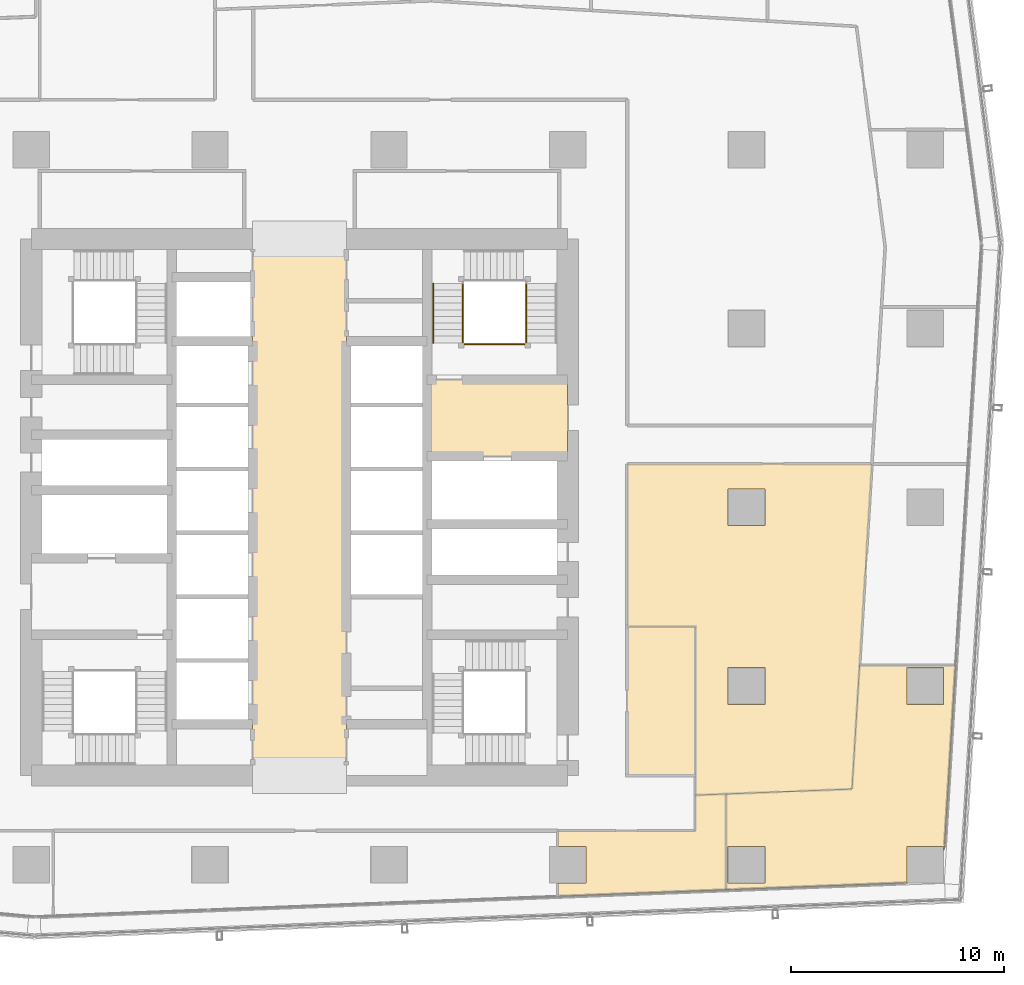
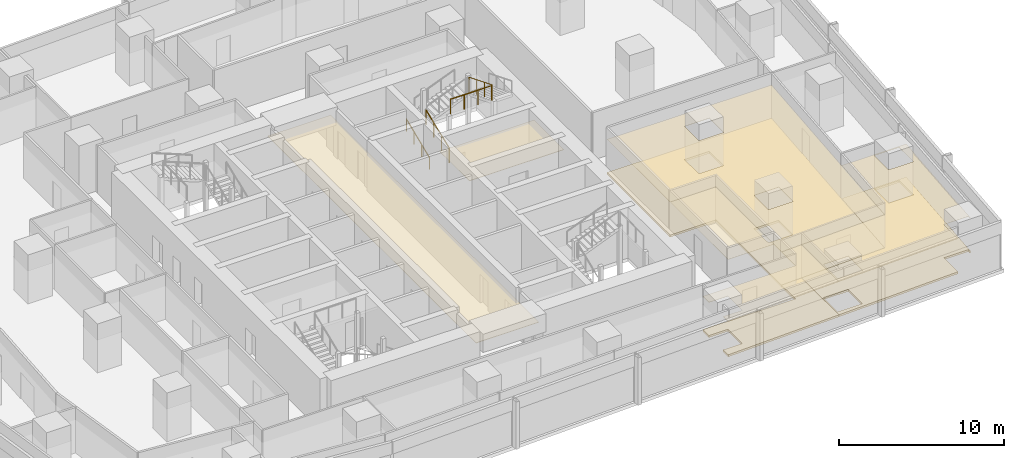
# One storey, part 38 of 40: 9 coverings, 4 railings.
"""IFC4 building model written with IfcOpenShell, lengths in metres."""

from ifc_helpers import new_model, si_unit, direction, frame, origin, origin_2d, place, context, subcontext, project, spatial, polyline, circle, outline, extrude, material, layer, layer_set, type_object, element, save


model = new_model("IFC4")

# Units and contexts
model_context = context("Model", 3, precision=1e-05, world=origin(), true_north=direction((0.0, 1.0)))
body_context = subcontext(model_context, "Body", "Model", "MODEL_VIEW")
ifc_project = project(units=[si_unit("LENGTHUNIT", "METRE"), si_unit("AREAUNIT", "SQUARE_METRE"), si_unit("VOLUMEUNIT", "CUBIC_METRE"), si_unit("PLANEANGLEUNIT", "RADIAN"), si_unit("MASSUNIT", "GRAM", prefix="KILO")], contexts=[model_context])

# Site, building, storey
site_placement = place(None, origin())
site = spatial("IfcSite", under=ifc_project, at=site_placement, CompositionType="ELEMENT")
building_placement = place(site_placement, origin())
building = spatial("IfcBuilding", under=site, at=building_placement, Name="Rekha Terrace Tower", CompositionType="ELEMENT")
storey_placement = place(building_placement, frame((0.0, 0.0, 106.550048828125)))
storey = spatial("IfcBuildingStorey", under=building, at=storey_placement, Name="L26", CompositionType="ELEMENT", Elevation=106.550048828125)

# Coverings
ifc_material_1 = material(Name="Mineral fibre tile in exposed grid", Category="finish")
ifc_layer_1 = layer(ifc_material_1, 0.02001953125)
ifc_layer_set_1 = layer_set([ifc_layer_1], Name="Mineral fibre tile in exposed grid")
covering_type_1 = type_object("IfcCoveringType", Name="CL1 600x1200 office grid ceiling", PredefinedType="CEILING", material=ifc_layer_set_1)
covering_1_placement = place(storey_placement, frame((0.0, 0.0, 2.579833984375)))
element("IfcCovering", 1, at=covering_1_placement, inside=storey, type_object=covering_type_1, Name="Ceiling L26-02", PredefinedType="CEILING", context=body_context, shape_type="SweptSolid", body=[
    extrude(outline(polyline([(56.39990234375, 20.073974609375), (56.39990234375, 18.39990234375), (49.93701171875, 18.39990234375), (49.93701171875, 17.6650390625), (51.264892578125, 17.6650390625), (51.264892578125, 15.93505859375), (49.93701171875, 15.93505859375), (49.93701171875, 15.319091796875), (57.8359375, 15.6259765625), (57.8359375, 20.1298828125), (56.39990234375, 20.073974609375)])), origin(), (0.0, 0.0, 1.0), 0.02001953125),
])
covering_2_placement = place(storey_placement, frame((0.0, 0.0, 2.579833984375)))
element("IfcCovering", 2, at=covering_2_placement, inside=storey, type_object=covering_type_1, Name="Ceiling L26-03", PredefinedType="CEILING", context=body_context, shape_type="SweptSolid", body=[
    extrude(outline(polyline([(64.114013671875, 26.166015625), (63.758056640625, 20.360107421875), (57.8369140625, 20.1298828125), (57.8369140625, 15.6259765625), (66.3349609375, 15.95703125), (66.3349609375, 17.6650390625), (68.06494140625, 17.6650390625), (68.06494140625, 17.48095703125), (68.090087890625, 17.47998046875), (68.623046875, 26.166015625), (64.114013671875, 26.166015625)]), holes=[polyline([(68.06494140625, 24.3349609375), (66.3349609375, 24.3349609375), (66.3349609375, 26.06494140625), (68.06494140625, 26.06494140625), (68.06494140625, 24.3349609375)]), polyline([(59.6650390625, 15.93505859375), (57.93505859375, 15.93505859375), (57.93505859375, 17.6650390625), (59.6650390625, 17.6650390625), (59.6650390625, 15.93505859375)])]), origin(), (0.0, 0.0, 1.0), 0.02001953125),
])
covering_3_placement = place(storey_placement, frame((0.0, 0.0, 2.579833984375)))
element("IfcCovering", 3, at=covering_3_placement, inside=storey, type_object=covering_type_1, Name="Ceiling L26-O1b", PredefinedType="CEILING", context=body_context, shape_type="SweptSolid", body=[
    extrude(outline(polyline([(56.39990234375, 20.073974609375), (57.8359375, 20.1298828125), (63.758056640625, 20.360107421875), (64.114013671875, 26.1669921875), (64.694091796875, 35.636962890625), (53.199951171875, 35.636962890625), (53.199951171875, 28.0), (56.39990234375, 28.0), (56.39990234375, 20.073974609375)]), holes=[polyline([(59.6650390625, 26.06494140625), (59.6650390625, 24.3349609375), (57.93505859375, 24.3349609375), (57.93505859375, 26.06494140625), (59.6650390625, 26.06494140625)]), polyline([(59.6650390625, 32.735107421875), (57.93505859375, 32.735107421875), (57.93505859375, 34.465087890625), (59.6650390625, 34.465087890625), (59.6650390625, 32.735107421875)])]), origin(), (0.0, 0.0, 1.0), 0.02001953125),
])
ifc_material_2 = material(Name="Fibre cement board", Category="finish")
ifc_layer_2 = layer(ifc_material_2, 0.014892578125)
ifc_layer_set_2 = layer_set([ifc_layer_2], Name="Fibre cement board")
covering_type_2 = type_object("IfcCoveringType", Name="CL2 moisture-resistant board ceiling", PredefinedType="CEILING", material=ifc_layer_set_2)
covering_4_placement = place(storey_placement, frame((0.0, 0.0, 2.5849609375)))
element("IfcCovering", 4, at=covering_4_placement, inside=storey, type_object=covering_type_2, Name="Ceiling L26-WCM2", PredefinedType="CEILING", context=body_context, shape_type="SweptSolid", body=[
    extrude(outline(polyline([(56.39990234375, 28.0), (53.199951171875, 28.0), (53.199951171875, 21.0), (56.39990234375, 21.0), (56.39990234375, 28.0)])), origin(), (0.0, 0.0, 1.0), 0.014892578125),
])
ifc_material_3 = material(Name="Powder-coated aluminium pan", Category="aluminium")
ifc_layer_3 = layer(ifc_material_3, 0.030029296875)
ifc_layer_set_3 = layer_set([ifc_layer_3], Name="Powder-coated aluminium pan")
covering_type_3 = type_object("IfcCoveringType", Name="CL3 300x1200 metal pan ceiling", PredefinedType="CEILING", material=ifc_layer_set_3)
covering_5_placement = place(storey_placement, frame((0.0, 0.0, 2.570068359375)))
element("IfcCovering", 5, at=covering_5_placement, inside=storey, type_object=covering_type_3, Name="Ceiling L26-LOBBY", PredefinedType="CEILING", context=body_context, shape_type="SweptSolid", body=[
    extrude(outline(polyline([(40.0, 46.199951171875), (35.60009765625, 46.199951171875), (35.60009765625, 21.0), (40.0, 21.0), (40.0, 46.199951171875)])), origin(), (0.0, 0.0, 1.0), 0.02978515625),
])
covering_6_placement = place(storey_placement, frame((0.0, 0.0, 2.570068359375)))
element("IfcCovering", 6, at=covering_6_placement, inside=storey, type_object=covering_type_3, Name="Ceiling L26-FLB2", PredefinedType="CEILING", context=body_context, shape_type="SweptSolid", body=[
    extrude(outline(polyline([(50.39990234375, 39.60009765625), (43.800048828125, 39.60009765625), (43.800048828125, 36.0), (50.39990234375, 36.0), (50.39990234375, 39.60009765625)])), origin(), (0.0, 0.0, 1.0), 0.02978515625),
])

# Railings
ifc_material_4 = material(Name="Stainless steel balustrade", Category="steel")
railing_type_1 = type_object("IfcRailingType", Name="GR1 1100 stair guard", PredefinedType="GUARDRAIL", material=ifc_material_4)
railing_1_placement = place(storey_placement, frame((45.465087890625, 41.324951171875, 0.125)))
element("IfcRailing", 7, at=railing_1_placement, inside=storey, type_object=railing_type_1, Name="Guard ST2 L26 flight 1", PredefinedType="GUARDRAIL", context=body_context, shape_type="SweptSolid", body=[
    extrude(circle(Radius=0.02392578125, at=origin_2d()), frame((0.0, 0.0, 1.076171875), z_axis=(0.0, 0.927443287984, 0.373963831907), x_axis=(-1.0, 0.0, 0.0)), (0.0, 0.0, 1.0), 3.00830078125),
    extrude(circle(Radius=0.02099609375, at=origin_2d()), origin(), (0.0, 0.0, 1.0), 1.052001953125),
    extrude(circle(Radius=0.02099609375, at=origin_2d()), frame((0.0, 0.929931640625, 0.375)), (0.0, 0.0, 1.0), 1.052001953125),
    extrude(circle(Radius=0.02099609375, at=origin_2d()), frame((0.0, 1.860107421875, 0.75)), (0.0, 0.0, 1.0), 1.052001953125),
    extrude(circle(Radius=0.02099609375, at=origin_2d()), frame((0.0, 2.7900390625, 1.125)), (0.0, 0.0, 1.0), 1.052001953125),
])
railing_2_placement = place(storey_placement, frame((48.4599609375, 44.114990234375, 2.625)))
element("IfcRailing", 8, at=railing_2_placement, inside=storey, type_object=railing_type_1, Name="Guard ST2 L26 flight 3", PredefinedType="GUARDRAIL", context=body_context, shape_type="SweptSolid", body=[
    extrude(circle(Radius=0.02392578125, at=origin_2d()), frame((0.0, 0.0, 1.076171875), z_axis=(0.0, -0.927443287984, 0.373963831907), x_axis=(1.0, 0.0, 0.0)), (0.0, 0.0, 1.0), 3.00830078125),
    extrude(circle(Radius=0.02099609375, at=origin_2d()), origin(), (0.0, 0.0, 1.0), 1.052001953125),
    extrude(circle(Radius=0.02099609375, at=origin_2d()), frame((0.0, -0.929931640625, 0.375)), (0.0, 0.0, 1.0), 1.052001953125),
    extrude(circle(Radius=0.02099609375, at=origin_2d()), frame((0.0, -1.860107421875, 0.75)), (0.0, 0.0, 1.0), 1.052001953125),
    extrude(circle(Radius=0.02099609375, at=origin_2d()), frame((0.0, -2.7900390625, 1.125)), (0.0, 0.0, 1.0), 1.052001953125),
])
railing_3_placement = place(storey_placement, frame((45.52490234375, 41.264892578125, 3.75)))
element("IfcRailing", 9, at=railing_3_placement, inside=storey, type_object=railing_type_1, Name="Guard ST2 L26 landing 4", PredefinedType="GUARDRAIL", context=body_context, shape_type="SweptSolid", body=[
    extrude(circle(Radius=0.02392578125, at=origin_2d()), frame((0.0, 0.0, 1.076171875), z_axis=(1.0, 0.0, 0.0), x_axis=(0.0, 1.0, 0.0)), (0.0, 0.0, 1.0), 2.875),
    extrude(circle(Radius=0.02099609375, at=origin_2d()), origin(), (0.0, 0.0, 1.0), 1.052001953125),
    extrude(circle(Radius=0.02099609375, at=origin_2d()), frame((0.958251953125, 0.0, 0.0)), (0.0, 0.0, 1.0), 1.052001953125),
    extrude(circle(Radius=0.02099609375, at=origin_2d()), frame((1.916748046875, 0.0, 0.0)), (0.0, 0.0, 1.0), 1.052001953125),
    extrude(circle(Radius=0.02099609375, at=origin_2d()), frame((2.875, 0.0, 0.0)), (0.0, 0.0, 1.0), 1.052001953125),
])
ifc_material_5 = material(Name="Stainless steel tube", Category="steel")
railing_type_2 = type_object("IfcRailingType", Name="HR1 900 stair handrail", PredefinedType="HANDRAIL", material=ifc_material_5)
railing_4_placement = place(storey_placement, frame((44.0849609375, 41.324951171875, 0.125)))
element("IfcRailing", 10, at=railing_4_placement, inside=storey, type_object=railing_type_2, Name="Handrail ST2 L26 flight 1", PredefinedType="HANDRAIL", context=body_context, shape_type="SweptSolid", body=[
    extrude(circle(Radius=0.02392578125, at=origin_2d()), frame((0.0, 0.0, 0.8759765625), z_axis=(0.0, 0.927443287984, 0.373963831907), x_axis=(-1.0, 0.0, 0.0)), (0.0, 0.0, 1.0), 3.00830078125),
    extrude(circle(Radius=0.02099609375, at=origin_2d()), origin(), (0.0, 0.0, 1.0), 0.851806640625),
    extrude(circle(Radius=0.02099609375, at=origin_2d()), frame((0.0, 0.929931640625, 0.375)), (0.0, 0.0, 1.0), 0.851806640625),
    extrude(circle(Radius=0.02099609375, at=origin_2d()), frame((0.0, 1.860107421875, 0.75)), (0.0, 0.0, 1.0), 0.851806640625),
    extrude(circle(Radius=0.02099609375, at=origin_2d()), frame((0.0, 2.7900390625, 1.125)), (0.0, 0.0, 1.0), 0.851806640625),
])

# Coverings
ifc_material_6 = material(Name="Calcium sulphate panels on steel pedestals", Category="steel")
ifc_layer_4 = layer(ifc_material_6, 0.14990234375)
ifc_layer_set_4 = layer_set([ifc_layer_4], Name="Calcium sulphate panels on steel pedestals")
covering_type_4 = type_object("IfcCoveringType", Name="RF1 150 raised access floor", PredefinedType="FLOORING", material=ifc_layer_set_4)
covering_7_placement = place(storey_placement, origin())
element("IfcCovering", 11, at=covering_7_placement, inside=storey, type_object=covering_type_4, Name="Raised floor L26-02", PredefinedType="FLOORING", context=body_context, shape_type="SweptSolid", body=[
    extrude(outline(polyline([(56.39990234375, 20.073974609375), (56.39990234375, 18.39990234375), (49.93701171875, 18.39990234375), (49.93701171875, 17.6650390625), (51.264892578125, 17.6650390625), (51.264892578125, 15.93505859375), (49.93701171875, 15.93505859375), (49.93701171875, 15.319091796875), (57.8359375, 15.6259765625), (57.8359375, 20.1298828125), (56.39990234375, 20.073974609375)])), origin(), (0.0, 0.0, 1.0), 0.14990234375),
])
covering_8_placement = place(storey_placement, origin())
element("IfcCovering", 12, at=covering_8_placement, inside=storey, type_object=covering_type_4, Name="Raised floor L26-03", PredefinedType="FLOORING", context=body_context, shape_type="SweptSolid", body=[
    extrude(outline(polyline([(64.114013671875, 26.166015625), (63.758056640625, 20.360107421875), (57.8369140625, 20.1298828125), (57.8369140625, 15.6259765625), (66.3349609375, 15.95703125), (66.3349609375, 17.6650390625), (68.06494140625, 17.6650390625), (68.06494140625, 17.48095703125), (68.090087890625, 17.47998046875), (68.623046875, 26.166015625), (64.114013671875, 26.166015625)]), holes=[polyline([(68.06494140625, 24.3349609375), (66.3349609375, 24.3349609375), (66.3349609375, 26.06494140625), (68.06494140625, 26.06494140625), (68.06494140625, 24.3349609375)]), polyline([(59.6650390625, 15.93505859375), (57.93505859375, 15.93505859375), (57.93505859375, 17.6650390625), (59.6650390625, 17.6650390625), (59.6650390625, 15.93505859375)])]), origin(), (0.0, 0.0, 1.0), 0.14990234375),
])
covering_9_placement = place(storey_placement, origin())
element("IfcCovering", 13, at=covering_9_placement, inside=storey, type_object=covering_type_4, Name="Raised floor L26-O1b", PredefinedType="FLOORING", context=body_context, shape_type="SweptSolid", body=[
    extrude(outline(polyline([(56.39990234375, 20.073974609375), (57.8359375, 20.1298828125), (63.758056640625, 20.360107421875), (64.114013671875, 26.1669921875), (64.694091796875, 35.636962890625), (53.199951171875, 35.636962890625), (53.199951171875, 28.0), (56.39990234375, 28.0), (56.39990234375, 20.073974609375)]), holes=[polyline([(59.6650390625, 26.06494140625), (59.6650390625, 24.3349609375), (57.93505859375, 24.3349609375), (57.93505859375, 26.06494140625), (59.6650390625, 26.06494140625)]), polyline([(59.6650390625, 32.735107421875), (57.93505859375, 32.735107421875), (57.93505859375, 34.465087890625), (59.6650390625, 34.465087890625), (59.6650390625, 32.735107421875)])]), origin(), (0.0, 0.0, 1.0), 0.14990234375),
])

save(model, "model.ifc")
